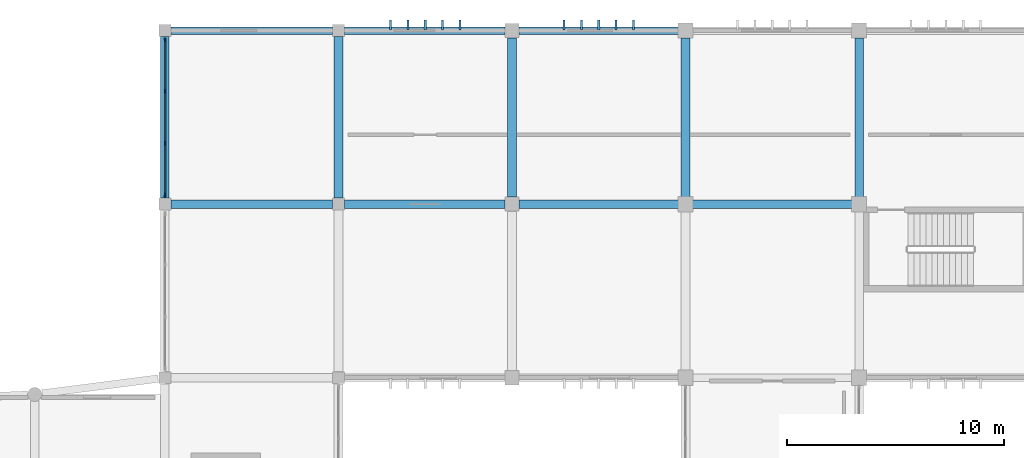
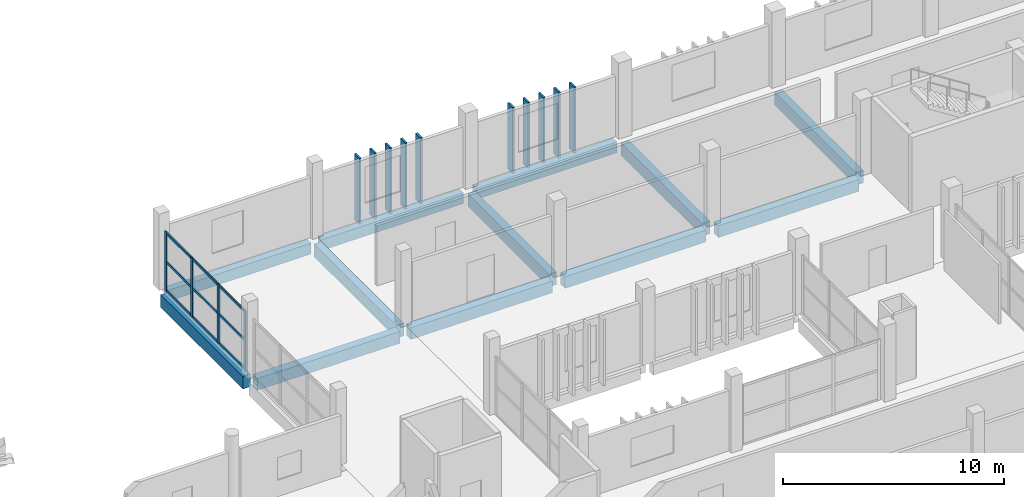
# One storey, part 35 of 83: 23 members, 12 beams, 1 element without a shape of its own.
"""IFC4 building model written with IfcOpenShell, lengths in metres."""

import ifcopenshell
import ifcopenshell.guid

model = None  # the IFC model being written
_history = None  # IfcOwnerHistory: only IFC2X3 demands one
_inside = {}  # id of a spatial element -> (the spatial element, [elements in it])
_under = {}  # id of a project, library or spatial element -> (it, [spatial elements below it])
_declared = {}  # id of a project -> (the project, [libraries it declares])
_typed = {}  # id of a type object -> (the type object, [elements of that type])
_made_of = {}  # id of a material, layer set ... -> (it, [elements and type objects made of it])


def new_model(schema):
    """Start an empty IFC model of exactly this schema.

    Asked for "IFC4X3", IfcOpenShell would pick the latest addendum, in which some entities
    have other attributes; the version numbers below select the first issue.
    IFC2X3 requires an IfcOwnerHistory on every rooted entity: one is made here for all.
    """
    global model, _history
    if schema == "IFC4X3":
        model = ifcopenshell.file(schema_version=(4, 3, 0, 0))
    else:
        model = ifcopenshell.file(schema=schema)
    _inside.clear()
    _under.clear()
    _declared.clear()
    _typed.clear()
    _made_of.clear()
    _history = None
    if model.schema == "IFC2X3":
        org = make("IfcOrganization", Name="unknown")
        user = make(
            "IfcPersonAndOrganization",
            ThePerson=make("IfcPerson", FamilyName="unknown"),
            TheOrganization=org,
        )
        app = make(
            "IfcApplication",
            ApplicationDeveloper=org,
            Version="unknown",
            ApplicationFullName="unknown",
            ApplicationIdentifier="unknown",
        )
        _history = make(
            "IfcOwnerHistory",
            OwningUser=user,
            OwningApplication=app,
            ChangeAction="ADDED",
            CreationDate=0,
        )
    return model


def make(cls, **values):
    """One entity of the class cls with the attributes given. An attribute that is None is left unset."""
    return model.create_entity(
        cls, **{name: value for name, value in values.items() if value is not None}
    )


def rooted(cls, **values):
    """An entity with a GlobalId (a new one), such as an element, a storey or a relation."""
    return make(cls, GlobalId=ifcopenshell.guid.new(), OwnerHistory=_history, **values)


def si_unit(unit_type, name, prefix=None):
    """IfcSIUnit, for example si_unit("LENGTHUNIT", "METRE", prefix="MILLI")."""
    return make("IfcSIUnit", UnitType=unit_type, Prefix=prefix, Name=name)


def assignment(units):
    """IfcUnitAssignment: the units of a project."""
    return None if units is None else make("IfcUnitAssignment", Units=units)


def point(xyz):
    """IfcCartesianPoint."""
    return None if xyz is None else make("IfcCartesianPoint", Coordinates=xyz)


def direction(xyz):
    """IfcDirection."""
    return None if xyz is None else make("IfcDirection", DirectionRatios=xyz)


def frame(location, z_axis=None, x_axis=None):
    """IfcAxis2Placement3D, a coordinate frame: its origin and axes. An axis left out is left unset."""
    return make(
        "IfcAxis2Placement3D",
        Location=point(location),
        Axis=direction(z_axis),
        RefDirection=direction(x_axis),
    )


def frame_2d(location, x_axis=None):
    """IfcAxis2Placement2D, a coordinate frame in the plane: its origin and x axis."""
    return make(
        "IfcAxis2Placement2D", Location=point(location), RefDirection=direction(x_axis)
    )


def origin():
    """The frame at (0, 0, 0) with its axes left unset."""
    return frame((0.0, 0.0, 0.0))


def origin_2d():
    """The frame at (0, 0) in the plane with its x axis left unset."""
    return frame_2d((0.0, 0.0))


def place(relative_to, where):
    """IfcLocalPlacement: puts the frame where relative to a parent placement (None: the world)."""
    return make(
        "IfcLocalPlacement", PlacementRelTo=relative_to, RelativePlacement=where
    )


def context(
    kind, dimensions, precision=None, world=None, true_north=None, identifier=None
):
    """IfcGeometricRepresentationContext, for example the 3D "Model" context."""
    return make(
        "IfcGeometricRepresentationContext",
        ContextIdentifier=identifier,
        ContextType=kind,
        CoordinateSpaceDimension=dimensions,
        Precision=precision,
        WorldCoordinateSystem=world,
        TrueNorth=true_north,
    )


def subcontext(parent, identifier, kind, view, scale=None):
    """IfcGeometricRepresentationSubContext, for example "Body" below "Model"."""
    return make(
        "IfcGeometricRepresentationSubContext",
        ContextIdentifier=identifier,
        ContextType=kind,
        ParentContext=parent,
        TargetScale=scale,
        TargetView=view,
    )


def project(units=None, contexts=None):
    """IfcProject with its units and contexts."""
    return rooted(
        "IfcProject",
        Name="project",
        RepresentationContexts=contexts,
        UnitsInContext=assignment(units),
    )


def spatial(cls, under=None, at=None, **own):
    """A site, building, storey or space (cls), placed at a placement, below another one or the project."""
    s = rooted(cls, ObjectPlacement=at, **own)
    if under is not None:
        _under.setdefault(under.id(), (under, []))[1].append(s)
    return s


def profile(cls, at=None, kind="AREA", **sizes):
    """A parametric profile (cls). Its sizes go by their IFC names, for example OverallWidth=200.0."""
    return make(cls, ProfileType=kind, Position=at, **sizes)


def rectangle(**sizes):
    """IfcRectangleProfileDef."""
    return profile("IfcRectangleProfileDef", **sizes)


def extrude(swept, where, along, depth):
    """IfcExtrudedAreaSolid: the profile swept, set in the frame where, extruded along a direction by depth."""
    return make(
        "IfcExtrudedAreaSolid",
        SweptArea=swept,
        Position=where,
        ExtrudedDirection=direction(along),
        Depth=depth,
    )


def shape(context_of_items, identifier, shape_type, items):
    """IfcShapeRepresentation: the items that make up one representation, for example the "Body"."""
    return make(
        "IfcShapeRepresentation",
        ContextOfItems=context_of_items,
        RepresentationIdentifier=identifier,
        RepresentationType=shape_type,
        Items=items,
    )


def material(Name=None, Category=None):
    """IfcMaterial."""
    return make("IfcMaterial", Name=Name, Category=Category)


def layer(
    of_material, thickness, ventilated=None, Name=None, Category=None, Priority=None
):
    """IfcMaterialLayer: one layer of a wall or slab, of a material (None: an air gap)."""
    return make(
        "IfcMaterialLayer",
        Material=of_material,
        LayerThickness=thickness,
        IsVentilated=ventilated,
        Name=Name,
        Category=Category,
        Priority=Priority,
    )


def layer_set(layers, Name=None):
    """IfcMaterialLayerSet."""
    return make("IfcMaterialLayerSet", MaterialLayers=layers, LayerSetName=Name)


def material_profile(
    of_material, cross_section, Name=None, Category=None, Priority=None
):
    """IfcMaterialProfile: a cross section and its material."""
    return make(
        "IfcMaterialProfile",
        Name=Name,
        Material=of_material,
        Profile=cross_section,
        Priority=Priority,
        Category=Category,
    )


def profile_set(profiles, Name=None, composite=None):
    """IfcMaterialProfileSet."""
    return make(
        "IfcMaterialProfileSet",
        Name=Name,
        MaterialProfiles=profiles,
        CompositeProfile=composite,
    )


def made_of(thing, what):
    """Note that an element or type object is made of a material, layer set ...; save() writes the relation."""
    if what is not None:
        _made_of.setdefault(what.id(), (what, []))[1].append(thing)
    return thing


def type_object(cls, material=None, **own):
    """A type object (cls), such as IfcWallType, which elements share."""
    return made_of(rooted(cls, **own), material)


def element(
    cls,
    number,
    at=None,
    inside=None,
    cuts=None,
    type_object=None,
    material=None,
    context=None,
    identifier="Body",
    shape_type=None,
    held_by="IfcProductDefinitionShape",
    body=None,
    shapes=None,
    **own,
):
    """One element of the class cls, such as IfcWall. Its Tag is "e" and its number.

    at: its placement. inside: the storey or other place that contains it. cuts: it is an
    opening in that element (IfcRelVoidsElement). A single representation is given by context,
    identifier, shape_type and body (its items); several are given by shapes. held_by: the class
    of the entity that holds the representations. save() writes the other relations.
    """
    e = rooted(cls, Tag="e%d" % number, ObjectPlacement=at, **own)
    if body is not None:
        shapes = [shape(context, identifier, shape_type, body)]
    if shapes is not None:
        e.Representation = make(held_by, Representations=shapes)
    if inside is not None:
        _inside.setdefault(inside.id(), (inside, []))[1].append(e)
    if cuts is not None:
        rooted(
            "IfcRelVoidsElement", RelatingBuildingElement=cuts, RelatedOpeningElement=e
        )
    if type_object is not None:
        _typed.setdefault(type_object.id(), (type_object, []))[1].append(e)
    return made_of(e, material)


def aggregate(whole, parts):
    """IfcRelAggregates: a whole, such as a stair, and the parts it consists of."""
    return rooted("IfcRelAggregates", RelatingObject=whole, RelatedObjects=parts)


def save(model, path):
    """Write the relations noted so far, then the file.

    IfcRelAggregates (storeys below a building ...), IfcRelContainedInSpatialStructure (elements
    in a storey), IfcRelDefinesByType, IfcRelAssociatesMaterial and IfcRelDeclares: one each for
    every whole, place, type object, material and project.
    """
    for whole, parts in _under.values():
        aggregate(whole, parts)
    for where, things in _inside.values():
        rooted(
            "IfcRelContainedInSpatialStructure",
            RelatedElements=things,
            RelatingStructure=where,
        )
    for kind, things in _typed.values():
        rooted("IfcRelDefinesByType", RelatedObjects=things, RelatingType=kind)
    for what, things in _made_of.values():
        rooted("IfcRelAssociatesMaterial", RelatedObjects=things, RelatingMaterial=what)
    for by, libraries in _declared.values():
        rooted("IfcRelDeclares", RelatingContext=by, RelatedDefinitions=libraries)
    model.write(path)


model = new_model("IFC4")

# Units and contexts
model_context = context("Model", 3, precision=1e-05, world=origin(), true_north=direction((0.0, 1.0)))
body_context = subcontext(model_context, "Body", "Model", "MODEL_VIEW")
ifc_project = project(units=[si_unit("LENGTHUNIT", "METRE"), si_unit("AREAUNIT", "SQUARE_METRE"), si_unit("VOLUMEUNIT", "CUBIC_METRE"), si_unit("PLANEANGLEUNIT", "RADIAN"), si_unit("MASSUNIT", "GRAM", prefix="KILO")], contexts=[model_context])

# Site, building, storey
site_placement = place(None, origin())
site = spatial("IfcSite", under=ifc_project, at=site_placement, CompositionType="ELEMENT")
building_placement = place(site_placement, origin())
building = spatial("IfcBuilding", under=site, at=building_placement, Name="Jelvoka-Kovrelna Polytechnic", CompositionType="ELEMENT")
storey_placement = place(building_placement, frame((0.0, 0.0, 13.800048828125)))
storey = spatial("IfcBuildingStorey", under=building, at=storey_placement, Name="L04", CompositionType="ELEMENT", Elevation=13.800048828125)

# Beams
ifc_material_1 = material(Name="Concrete C40/50", Category="concrete")
ifc_material_profile_1 = material_profile(ifc_material_1, rectangle(XDim=0.39990234375, YDim=0.64990234375, at=origin_2d()), Name="RC 400x650")
ifc_profile_set_1 = profile_set([ifc_material_profile_1], Name="Concrete C40/50")
beam_type_1 = type_object("IfcBeamType", Name="Beam_RC_400x650", PredefinedType="BEAM", material=ifc_profile_set_1)
beam_1_placement = place(storey_placement, frame((56.280029296875, 64.0, -0.574951171875), z_axis=(1.0, 0.0, 0.0), x_axis=(0.0, 1.0, 0.0)))
element("IfcBeam", 1, at=beam_1_placement, inside=storey, type_object=beam_type_1, Name="L04 beam 1265", PredefinedType="BEAM", context=body_context, shape_type="SweptSolid", body=[
    extrude(rectangle(XDim=0.39990234375, YDim=0.64990234375, at=origin_2d()), origin(), (0.0, 0.0, 1.0), 7.389892578125),
])
for number, where, z_axis, x_axis, name in (
    (2, (64.330078125, 64.0, -0.574951171875), (1.0, 0.0, 0.0), (0.0, 1.0, 0.0), "L04 beam 1266"),
    (3, (72.330078125, 64.0, -0.574951171875), (1.0, 0.0, 0.0), (0.0, 1.0, 0.0), "L04 beam 1267"),
):
    element("IfcBeam", number, at=place(storey_placement, frame(where, z_axis=z_axis, x_axis=x_axis)), inside=storey, type_object=beam_type_1, Name=name, PredefinedType="BEAM", context=body_context, shape_type="SweptSolid", body=[
        extrude(rectangle(XDim=0.39990234375, YDim=0.64990234375, at=origin_2d()), origin(), (0.0, 0.0, 1.0), 7.33984375),
    ])
beam_2_placement = place(storey_placement, frame((48.280029296875, 64.0, -0.574951171875), z_axis=(1.0, 0.0, 0.0), x_axis=(0.0, 1.0, 0.0)))
element("IfcBeam", 4, at=beam_2_placement, inside=storey, type_object=beam_type_1, Name="L04 beam 1348", PredefinedType="BEAM", context=body_context, shape_type="SweptSolid", body=[
    extrude(rectangle(XDim=0.39990234375, YDim=0.64990234375, at=origin_2d()), origin(), (0.0, 0.0, 1.0), 7.43994140625),
])
ifc_material_2 = material(Name="Concrete C40/50", Category="concrete")
ifc_material_profile_2 = material_profile(ifc_material_2, rectangle(XDim=0.39990234375, YDim=0.699951171875, at=origin_2d()), Name="RC 400x700")
ifc_profile_set_2 = profile_set([ifc_material_profile_2], Name="Concrete C40/50")
beam_type_2 = type_object("IfcBeamType", Name="Beam_RC_400x700", PredefinedType="BEAM", material=ifc_profile_set_2)
beam_3_placement = place(storey_placement, frame((56.0, 64.280029296875, -0.60009765625), z_axis=(0.0, 1.0, 0.0), x_axis=(-1.0, 0.0, 0.0)))
element("IfcBeam", 5, at=beam_3_placement, inside=storey, type_object=beam_type_2, Name="L04 beam 1279", PredefinedType="BEAM", context=body_context, shape_type="SweptSolid", body=[
    extrude(rectangle(XDim=0.39990234375, YDim=0.699951171875, at=origin_2d()), origin(), (0.0, 0.0, 1.0), 7.43994140625),
])
for number, where, z_axis, x_axis, name in (
    (6, (64.0, 64.330078125, -0.60009765625), (0.0, 1.0, 0.0), (-1.0, 0.0, 0.0), "L04 beam 1281"),
    (7, (72.0, 64.330078125, -0.60009765625), (0.0, 1.0, 0.0), (-1.0, 0.0, 0.0), "L04 beam 1283"),
    (8, (80.0, 64.330078125, -0.60009765625), (0.0, 1.0, 0.0), (-1.0, 0.0, 0.0), "L04 beam 1285"),
):
    element("IfcBeam", number, at=place(storey_placement, frame(where, z_axis=z_axis, x_axis=x_axis)), inside=storey, type_object=beam_type_2, Name=name, PredefinedType="BEAM", context=body_context, shape_type="SweptSolid", body=[
        extrude(rectangle(XDim=0.39990234375, YDim=0.699951171875, at=origin_2d()), origin(), (0.0, 0.0, 1.0), 7.33984375),
    ])
beam_4_placement = place(storey_placement, frame((48.0, 64.280029296875, -0.60009765625), z_axis=(0.0, 1.0, 0.0), x_axis=(-1.0, 0.0, 0.0)))
element("IfcBeam", 9, at=beam_4_placement, inside=storey, type_object=beam_type_2, Name="L04 beam 1356", PredefinedType="BEAM", context=body_context, shape_type="SweptSolid", body=[
    extrude(rectangle(XDim=0.39990234375, YDim=0.699951171875, at=origin_2d()), origin(), (0.0, 0.0, 1.0), 7.43994140625),
])

# Members
ifc_material_3 = material(Name="Precast concrete C40/50", Category="concrete")
ifc_material_profile_3 = material_profile(ifc_material_3, rectangle(XDim=0.10009765625, YDim=0.449951171875, at=origin_2d()), Name="PC 100x450")
ifc_profile_set_3 = profile_set([ifc_material_profile_3], Name="Precast concrete C40/50")
member_type_1 = type_object("IfcMemberType", Name="Louvre_Fin_100x450", PredefinedType="USERDEFINED", material=ifc_profile_set_3)
for number, where, z_axis, x_axis, name in (
    (10, (58.39990234375, 72.264892578125, -0.27001953125), (0.0, 0.0, 1.0), (1.0, 0.0, 0.0), "L04 B3 north vertical solar louvre fin 1626"),
    (11, (59.199951171875, 72.264892578125, -0.27001953125), (0.0, 0.0, 1.0), (1.0, 0.0, 0.0), "L04 B3 north vertical solar louvre fin 1627"),
    (12, (60.0, 72.264892578125, -0.27001953125), (0.0, 0.0, 1.0), (1.0, 0.0, 0.0), "L04 B3 north vertical solar louvre fin 1628"),
    (13, (60.800048828125, 72.264892578125, -0.27001953125), (0.0, 0.0, 1.0), (1.0, 0.0, 0.0), "L04 B3 north vertical solar louvre fin 1629"),
    (14, (61.60009765625, 72.264892578125, -0.27001953125), (0.0, 0.0, 1.0), (1.0, 0.0, 0.0), "L04 B3 north vertical solar louvre fin 1630"),
    (15, (66.39990234375, 72.264892578125, -0.27001953125), (0.0, 0.0, 1.0), (1.0, 0.0, 0.0), "L04 B3 north vertical solar louvre fin 1636"),
    (16, (67.199951171875, 72.264892578125, -0.27001953125), (0.0, 0.0, 1.0), (1.0, 0.0, 0.0), "L04 B3 north vertical solar louvre fin 1637"),
    (17, (68.0, 72.264892578125, -0.27001953125), (0.0, 0.0, 1.0), (1.0, 0.0, 0.0), "L04 B3 north vertical solar louvre fin 1638"),
    (18, (68.800048828125, 72.264892578125, -0.27001953125), (0.0, 0.0, 1.0), (1.0, 0.0, 0.0), "L04 B3 north vertical solar louvre fin 1639"),
    (19, (69.60009765625, 72.264892578125, -0.27001953125), (0.0, 0.0, 1.0), (1.0, 0.0, 0.0), "L04 B3 north vertical solar louvre fin 1640"),
):
    element("IfcMember", number, at=place(storey_placement, frame(where, z_axis=z_axis, x_axis=x_axis)), inside=storey, type_object=member_type_1, Name=name, ObjectType="SUNSHADE", PredefinedType="USERDEFINED", context=body_context, shape_type="SweptSolid", body=[
        extrude(rectangle(XDim=0.10009765625, YDim=0.449951171875, at=origin_2d()), origin(), (0.0, 0.0, 1.0), 3.64501953125),
    ])

# Curtain wall, members
ifc_material_4 = material(Name="Anodised aluminium 6063-T6", Category="aluminium")
ifc_layer = layer(ifc_material_4, 0.179931640625)
ifc_layer_set = layer_set([ifc_layer], Name="Anodised aluminium 6063-T6")
curtain_wall_type = type_object("IfcCurtainWallType", Name="CW_Pavilion", PredefinedType="NOTDEFINED", material=ifc_layer_set)
curtain_wall_placement = place(storey_placement, origin())
curtain_wall = element("IfcCurtainWall", 20, at=curtain_wall_placement, inside=storey, type_object=curtain_wall_type, Name="L04 glazed curtain wall 143", PredefinedType="NOTDEFINED")
ifc_material_5 = material(Name="Anodised aluminium 6063-T6", Category="aluminium")
ifc_material_profile_4 = material_profile(ifc_material_5, rectangle(XDim=0.06494140625, YDim=0.179931640625, at=origin_2d()), Name="ALU 65x180")
ifc_profile_set_4 = profile_set([ifc_material_profile_4], Name="Anodised aluminium 6063-T6")
member_type_2 = type_object("IfcMemberType", Name="Mullion_M-05", PredefinedType="MULLION", material=ifc_profile_set_4)
member_1_placement = place(storey_placement, frame((48.0, 64.4326171875, -0.02490234375), z_axis=(0.0, 0.0, 1.0), x_axis=(-1.0, 0.0, 0.0)))
member_1 = element("IfcMember", 21, at=member_1_placement, type_object=member_type_2, Name="CW-05 mullion 1", PredefinedType="MULLION", context=body_context, shape_type="SweptSolid", body=[
    extrude(rectangle(XDim=0.06494140625, YDim=0.179931640625, at=origin_2d()), origin(), (0.0, 0.0, 1.0), 3.27490234375),
])
member_2_placement = place(storey_placement, frame((48.0, 66.800048828125, -0.02490234375), z_axis=(0.0, 0.0, 1.0), x_axis=(-1.0, 0.0, 0.0)))
member_2 = element("IfcMember", 22, at=member_2_placement, type_object=member_type_2, Name="CW-05 mullion 2", PredefinedType="MULLION", context=body_context, shape_type="SweptSolid", body=[
    extrude(rectangle(XDim=0.06494140625, YDim=0.179931640625, at=origin_2d()), origin(), (0.0, 0.0, 1.0), 3.27490234375),
])
member_3_placement = place(storey_placement, frame((48.0, 69.199951171875, -0.02490234375), z_axis=(0.0, 0.0, 1.0), x_axis=(-1.0, 0.0, 0.0)))
member_3 = element("IfcMember", 23, at=member_3_placement, type_object=member_type_2, Name="CW-05 mullion 3", PredefinedType="MULLION", context=body_context, shape_type="SweptSolid", body=[
    extrude(rectangle(XDim=0.06494140625, YDim=0.179931640625, at=origin_2d()), origin(), (0.0, 0.0, 1.0), 3.27490234375),
])
member_4_placement = place(storey_placement, frame((48.0, 71.5673828125, -0.02490234375), z_axis=(0.0, 0.0, 1.0), x_axis=(-1.0, 0.0, 0.0)))
member_4 = element("IfcMember", 24, at=member_4_placement, type_object=member_type_2, Name="CW-05 mullion 4", PredefinedType="MULLION", context=body_context, shape_type="SweptSolid", body=[
    extrude(rectangle(XDim=0.06494140625, YDim=0.179931640625, at=origin_2d()), origin(), (0.0, 0.0, 1.0), 3.27490234375),
])

# Beams
ifc_material_6 = material(Name="Concrete C40/50", Category="concrete")
ifc_material_profile_5 = material_profile(ifc_material_6, rectangle(XDim=0.35009765625, YDim=0.60009765625, at=origin_2d()), Name="RC 350x600")
ifc_profile_set_5 = profile_set([ifc_material_profile_5], Name="Concrete C40/50")
beam_type_3 = type_object("IfcBeamType", Name="Spandrel_RC_350x600", PredefinedType="SPANDREL", material=ifc_profile_set_5)
beam_5_placement = place(storey_placement, frame((56.280029296875, 72.0, -0.550048828125), z_axis=(1.0, 0.0, 0.0), x_axis=(0.0, 1.0, 0.0)))
element("IfcBeam", 25, at=beam_5_placement, inside=storey, type_object=beam_type_3, Name="L04 beam 1271", PredefinedType="SPANDREL", context=body_context, shape_type="SweptSolid", body=[
    extrude(rectangle(XDim=0.35009765625, YDim=0.60009765625, at=origin_2d()), origin(), (0.0, 0.0, 1.0), 7.389892578125),
])
beam_6_placement = place(storey_placement, frame((64.330078125, 72.0, -0.550048828125), z_axis=(1.0, 0.0, 0.0), x_axis=(0.0, 1.0, 0.0)))
element("IfcBeam", 26, at=beam_6_placement, inside=storey, type_object=beam_type_3, Name="L04 beam 1272", PredefinedType="SPANDREL", context=body_context, shape_type="SweptSolid", body=[
    extrude(rectangle(XDim=0.35009765625, YDim=0.60009765625, at=origin_2d()), origin(), (0.0, 0.0, 1.0), 7.33984375),
])
beam_7_placement = place(storey_placement, frame((48.280029296875, 72.0, -0.550048828125), z_axis=(1.0, 0.0, 0.0), x_axis=(0.0, 1.0, 0.0)))
element("IfcBeam", 27, at=beam_7_placement, inside=storey, type_object=beam_type_3, Name="L04 beam 1349", PredefinedType="SPANDREL", context=body_context, shape_type="SweptSolid", body=[
    extrude(rectangle(XDim=0.35009765625, YDim=0.60009765625, at=origin_2d()), origin(), (0.0, 0.0, 1.0), 7.43994140625),
])

# Member
ifc_material_7 = material(Name="Anodised aluminium 6063-T6", Category="aluminium")
ifc_material_profile_6 = material_profile(ifc_material_7, rectangle(XDim=0.06494140625, YDim=0.135009765625, at=origin_2d()), Name="ALU 65x135")
ifc_profile_set_6 = profile_set([ifc_material_profile_6], Name="Anodised aluminium 6063-T6")
member_type_3 = type_object("IfcMemberType", Name="Transom_T-05", PredefinedType="USERDEFINED", material=ifc_profile_set_6)
member_5_placement = place(storey_placement, frame((48.0, 64.465087890625, 0.032470703125), z_axis=(0.0, 1.0, 0.0), x_axis=(-1.0, 0.0, 0.0)))
member_5 = element("IfcMember", 28, at=member_5_placement, type_object=member_type_3, Name="CW-05 transom 1.1", ObjectType="TRANSOM", PredefinedType="USERDEFINED", context=body_context, shape_type="SweptSolid", body=[
    extrude(rectangle(XDim=0.06494140625, YDim=0.135009765625, at=origin_2d()), origin(), (0.0, 0.0, 1.0), 2.302490234375),
])

member_6_placement = place(storey_placement, frame((48.0, 64.465087890625, 1.612548828125), z_axis=(0.0, 1.0, 0.0), x_axis=(-1.0, 0.0, 0.0)))
member_6 = element("IfcMember", 29, at=member_6_placement, type_object=member_type_3, Name="CW-05 transom 1.2", ObjectType="TRANSOM", PredefinedType="USERDEFINED", context=body_context, shape_type="SweptSolid", body=[
    extrude(rectangle(XDim=0.06494140625, YDim=0.135009765625, at=origin_2d()), origin(), (0.0, 0.0, 1.0), 2.302490234375),
])

member_7_placement = place(storey_placement, frame((48.0, 64.465087890625, 3.1923828125), z_axis=(0.0, 1.0, 0.0), x_axis=(-1.0, 0.0, 0.0)))
member_7 = element("IfcMember", 30, at=member_7_placement, type_object=member_type_3, Name="CW-05 transom 1.3", ObjectType="TRANSOM", PredefinedType="USERDEFINED", context=body_context, shape_type="SweptSolid", body=[
    extrude(rectangle(XDim=0.06494140625, YDim=0.135009765625, at=origin_2d()), origin(), (0.0, 0.0, 1.0), 2.302490234375),
])

member_8_placement = place(storey_placement, frame((48.0, 66.83251953125, 0.032470703125), z_axis=(0.0, 1.0, 0.0), x_axis=(-1.0, 0.0, 0.0)))
member_8 = element("IfcMember", 31, at=member_8_placement, type_object=member_type_3, Name="CW-05 transom 2.1", ObjectType="TRANSOM", PredefinedType="USERDEFINED", context=body_context, shape_type="SweptSolid", body=[
    extrude(rectangle(XDim=0.06494140625, YDim=0.135009765625, at=origin_2d()), origin(), (0.0, 0.0, 1.0), 2.3349609375),
])

member_9_placement = place(storey_placement, frame((48.0, 66.83251953125, 1.612548828125), z_axis=(0.0, 1.0, 0.0), x_axis=(-1.0, 0.0, 0.0)))
member_9 = element("IfcMember", 32, at=member_9_placement, type_object=member_type_3, Name="CW-05 transom 2.2", ObjectType="TRANSOM", PredefinedType="USERDEFINED", context=body_context, shape_type="SweptSolid", body=[
    extrude(rectangle(XDim=0.06494140625, YDim=0.135009765625, at=origin_2d()), origin(), (0.0, 0.0, 1.0), 2.3349609375),
])

member_10_placement = place(storey_placement, frame((48.0, 66.83251953125, 3.1923828125), z_axis=(0.0, 1.0, 0.0), x_axis=(-1.0, 0.0, 0.0)))
member_10 = element("IfcMember", 33, at=member_10_placement, type_object=member_type_3, Name="CW-05 transom 2.3", ObjectType="TRANSOM", PredefinedType="USERDEFINED", context=body_context, shape_type="SweptSolid", body=[
    extrude(rectangle(XDim=0.06494140625, YDim=0.135009765625, at=origin_2d()), origin(), (0.0, 0.0, 1.0), 2.3349609375),
])

member_11_placement = place(storey_placement, frame((48.0, 69.232421875, 0.032470703125), z_axis=(0.0, 1.0, 0.0), x_axis=(-1.0, 0.0, 0.0)))
member_11 = element("IfcMember", 34, at=member_11_placement, type_object=member_type_3, Name="CW-05 transom 3.1", ObjectType="TRANSOM", PredefinedType="USERDEFINED", context=body_context, shape_type="SweptSolid", body=[
    extrude(rectangle(XDim=0.06494140625, YDim=0.135009765625, at=origin_2d()), origin(), (0.0, 0.0, 1.0), 2.302490234375),
])

member_12_placement = place(storey_placement, frame((48.0, 69.232421875, 1.612548828125), z_axis=(0.0, 1.0, 0.0), x_axis=(-1.0, 0.0, 0.0)))
member_12 = element("IfcMember", 35, at=member_12_placement, type_object=member_type_3, Name="CW-05 transom 3.2", ObjectType="TRANSOM", PredefinedType="USERDEFINED", context=body_context, shape_type="SweptSolid", body=[
    extrude(rectangle(XDim=0.06494140625, YDim=0.135009765625, at=origin_2d()), origin(), (0.0, 0.0, 1.0), 2.302490234375),
])

member_13_placement = place(storey_placement, frame((48.0, 69.232421875, 3.1923828125), z_axis=(0.0, 1.0, 0.0), x_axis=(-1.0, 0.0, 0.0)))
member_13 = element("IfcMember", 36, at=member_13_placement, type_object=member_type_3, Name="CW-05 transom 3.3", ObjectType="TRANSOM", PredefinedType="USERDEFINED", context=body_context, shape_type="SweptSolid", body=[
    extrude(rectangle(XDim=0.06494140625, YDim=0.135009765625, at=origin_2d()), origin(), (0.0, 0.0, 1.0), 2.302490234375),
])

aggregate(curtain_wall, [member_1, member_2, member_3, member_4, member_5, member_6, member_7, member_8, member_9, member_10, member_11, member_12, member_13])

save(model, "model.ifc")
